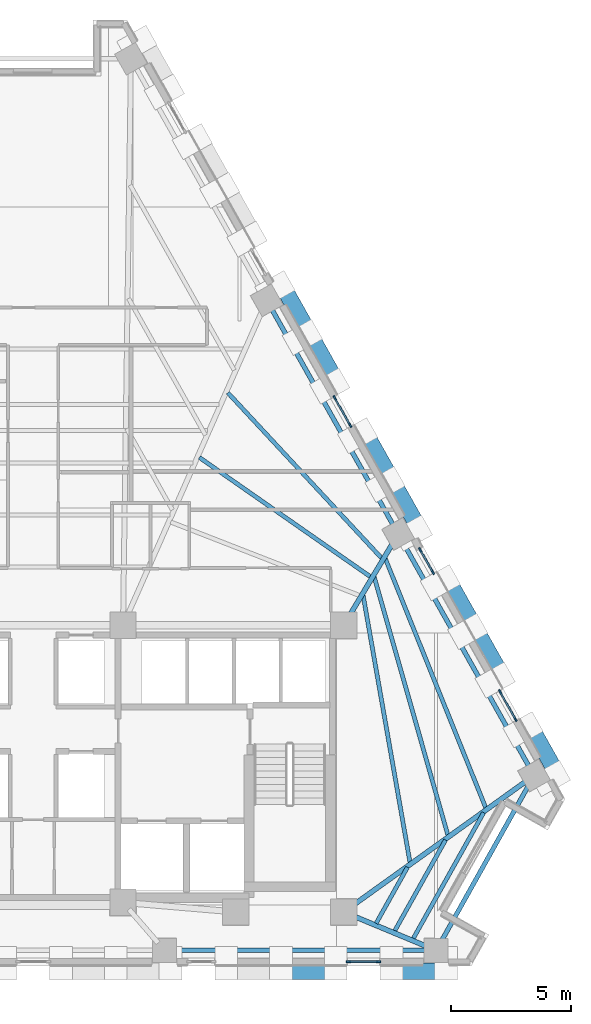
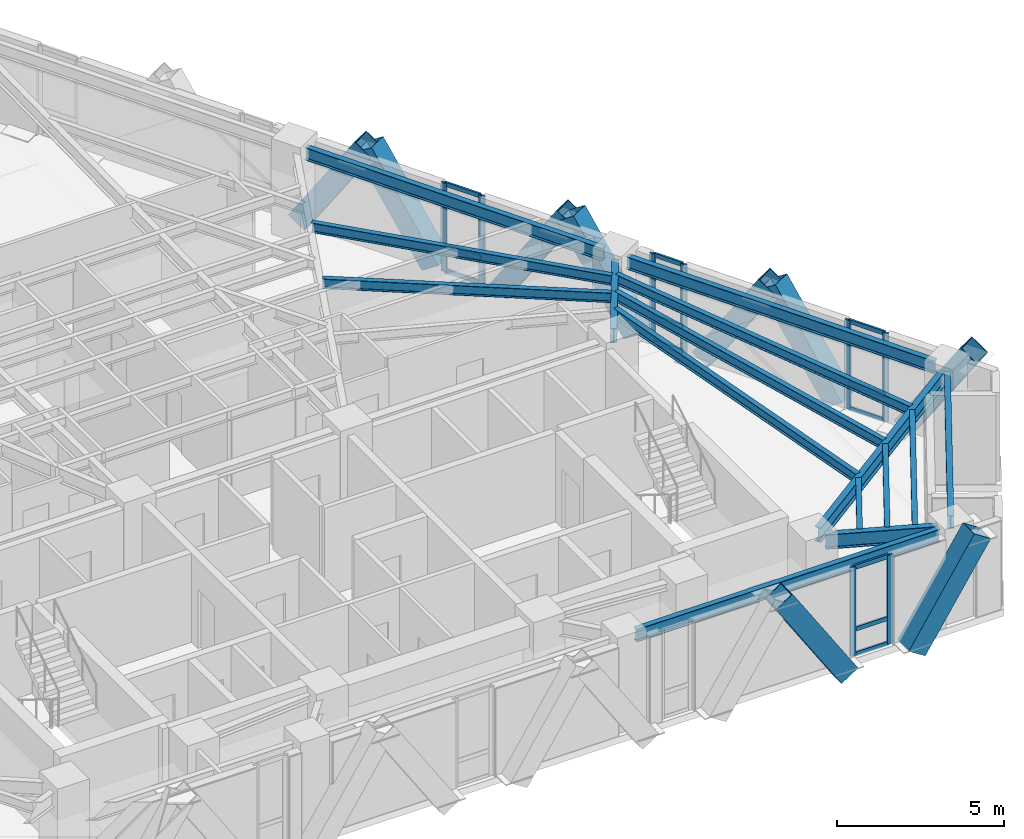
# One storey, part 4 of 14: 29 members, 15 beams, 4 elements without a shape of their own.
"""IFC4 building model written with IfcOpenShell, lengths in metres."""

import ifcopenshell
import ifcopenshell.guid

model = None  # the IFC model being written
_history = None  # IfcOwnerHistory: only IFC2X3 demands one
_inside = {}  # id of a spatial element -> (the spatial element, [elements in it])
_under = {}  # id of a project, library or spatial element -> (it, [spatial elements below it])
_declared = {}  # id of a project -> (the project, [libraries it declares])
_typed = {}  # id of a type object -> (the type object, [elements of that type])
_made_of = {}  # id of a material, layer set ... -> (it, [elements and type objects made of it])


def new_model(schema):
    """Start an empty IFC model of exactly this schema.

    Asked for "IFC4X3", IfcOpenShell would pick the latest addendum, in which some entities
    have other attributes; the version numbers below select the first issue.
    IFC2X3 requires an IfcOwnerHistory on every rooted entity: one is made here for all.
    """
    global model, _history
    if schema == "IFC4X3":
        model = ifcopenshell.file(schema_version=(4, 3, 0, 0))
    else:
        model = ifcopenshell.file(schema=schema)
    _inside.clear()
    _under.clear()
    _declared.clear()
    _typed.clear()
    _made_of.clear()
    _history = None
    if model.schema == "IFC2X3":
        org = make("IfcOrganization", Name="unknown")
        user = make(
            "IfcPersonAndOrganization",
            ThePerson=make("IfcPerson", FamilyName="unknown"),
            TheOrganization=org,
        )
        app = make(
            "IfcApplication",
            ApplicationDeveloper=org,
            Version="unknown",
            ApplicationFullName="unknown",
            ApplicationIdentifier="unknown",
        )
        _history = make(
            "IfcOwnerHistory",
            OwningUser=user,
            OwningApplication=app,
            ChangeAction="ADDED",
            CreationDate=0,
        )
    return model


def make(cls, **values):
    """One entity of the class cls with the attributes given. An attribute that is None is left unset."""
    return model.create_entity(
        cls, **{name: value for name, value in values.items() if value is not None}
    )


def rooted(cls, **values):
    """An entity with a GlobalId (a new one), such as an element, a storey or a relation."""
    return make(cls, GlobalId=ifcopenshell.guid.new(), OwnerHistory=_history, **values)


def si_unit(unit_type, name, prefix=None):
    """IfcSIUnit, for example si_unit("LENGTHUNIT", "METRE", prefix="MILLI")."""
    return make("IfcSIUnit", UnitType=unit_type, Prefix=prefix, Name=name)


def assignment(units):
    """IfcUnitAssignment: the units of a project."""
    return None if units is None else make("IfcUnitAssignment", Units=units)


def point(xyz):
    """IfcCartesianPoint."""
    return None if xyz is None else make("IfcCartesianPoint", Coordinates=xyz)


def direction(xyz):
    """IfcDirection."""
    return None if xyz is None else make("IfcDirection", DirectionRatios=xyz)


def frame(location, z_axis=None, x_axis=None):
    """IfcAxis2Placement3D, a coordinate frame: its origin and axes. An axis left out is left unset."""
    return make(
        "IfcAxis2Placement3D",
        Location=point(location),
        Axis=direction(z_axis),
        RefDirection=direction(x_axis),
    )


def frame_2d(location, x_axis=None):
    """IfcAxis2Placement2D, a coordinate frame in the plane: its origin and x axis."""
    return make(
        "IfcAxis2Placement2D", Location=point(location), RefDirection=direction(x_axis)
    )


def origin():
    """The frame at (0, 0, 0) with its axes left unset."""
    return frame((0.0, 0.0, 0.0))


def origin_2d():
    """The frame at (0, 0) in the plane with its x axis left unset."""
    return frame_2d((0.0, 0.0))


def place(relative_to, where):
    """IfcLocalPlacement: puts the frame where relative to a parent placement (None: the world)."""
    return make(
        "IfcLocalPlacement", PlacementRelTo=relative_to, RelativePlacement=where
    )


def context(
    kind, dimensions, precision=None, world=None, true_north=None, identifier=None
):
    """IfcGeometricRepresentationContext, for example the 3D "Model" context."""
    return make(
        "IfcGeometricRepresentationContext",
        ContextIdentifier=identifier,
        ContextType=kind,
        CoordinateSpaceDimension=dimensions,
        Precision=precision,
        WorldCoordinateSystem=world,
        TrueNorth=true_north,
    )


def subcontext(parent, identifier, kind, view, scale=None):
    """IfcGeometricRepresentationSubContext, for example "Body" below "Model"."""
    return make(
        "IfcGeometricRepresentationSubContext",
        ContextIdentifier=identifier,
        ContextType=kind,
        ParentContext=parent,
        TargetScale=scale,
        TargetView=view,
    )


def project(units=None, contexts=None):
    """IfcProject with its units and contexts."""
    return rooted(
        "IfcProject",
        Name="project",
        RepresentationContexts=contexts,
        UnitsInContext=assignment(units),
    )


def spatial(cls, under=None, at=None, **own):
    """A site, building, storey or space (cls), placed at a placement, below another one or the project."""
    s = rooted(cls, ObjectPlacement=at, **own)
    if under is not None:
        _under.setdefault(under.id(), (under, []))[1].append(s)
    return s


def profile(cls, at=None, kind="AREA", **sizes):
    """A parametric profile (cls). Its sizes go by their IFC names, for example OverallWidth=200.0."""
    return make(cls, ProfileType=kind, Position=at, **sizes)


def rectangle(**sizes):
    """IfcRectangleProfileDef."""
    return profile("IfcRectangleProfileDef", **sizes)


def hollow_rectangle(**sizes):
    """IfcRectangleHollowProfileDef."""
    return profile("IfcRectangleHollowProfileDef", **sizes)


def i_section(**sizes):
    """IfcIShapeProfileDef."""
    return profile("IfcIShapeProfileDef", **sizes)


def extrude(swept, where, along, depth):
    """IfcExtrudedAreaSolid: the profile swept, set in the frame where, extruded along a direction by depth."""
    return make(
        "IfcExtrudedAreaSolid",
        SweptArea=swept,
        Position=where,
        ExtrudedDirection=direction(along),
        Depth=depth,
    )


def shape(context_of_items, identifier, shape_type, items):
    """IfcShapeRepresentation: the items that make up one representation, for example the "Body"."""
    return make(
        "IfcShapeRepresentation",
        ContextOfItems=context_of_items,
        RepresentationIdentifier=identifier,
        RepresentationType=shape_type,
        Items=items,
    )


def material(Name=None, Category=None):
    """IfcMaterial."""
    return make("IfcMaterial", Name=Name, Category=Category)


def material_profile(
    of_material, cross_section, Name=None, Category=None, Priority=None
):
    """IfcMaterialProfile: a cross section and its material."""
    return make(
        "IfcMaterialProfile",
        Name=Name,
        Material=of_material,
        Profile=cross_section,
        Priority=Priority,
        Category=Category,
    )


def profile_set(profiles, Name=None, composite=None):
    """IfcMaterialProfileSet."""
    return make(
        "IfcMaterialProfileSet",
        Name=Name,
        MaterialProfiles=profiles,
        CompositeProfile=composite,
    )


def made_of(thing, what):
    """Note that an element or type object is made of a material, layer set ...; save() writes the relation."""
    if what is not None:
        _made_of.setdefault(what.id(), (what, []))[1].append(thing)
    return thing


def type_object(cls, material=None, **own):
    """A type object (cls), such as IfcWallType, which elements share."""
    return made_of(rooted(cls, **own), material)


def element(
    cls,
    number,
    at=None,
    inside=None,
    cuts=None,
    type_object=None,
    material=None,
    context=None,
    identifier="Body",
    shape_type=None,
    held_by="IfcProductDefinitionShape",
    body=None,
    shapes=None,
    **own,
):
    """One element of the class cls, such as IfcWall. Its Tag is "e" and its number.

    at: its placement. inside: the storey or other place that contains it. cuts: it is an
    opening in that element (IfcRelVoidsElement). A single representation is given by context,
    identifier, shape_type and body (its items); several are given by shapes. held_by: the class
    of the entity that holds the representations. save() writes the other relations.
    """
    e = rooted(cls, Tag="e%d" % number, ObjectPlacement=at, **own)
    if body is not None:
        shapes = [shape(context, identifier, shape_type, body)]
    if shapes is not None:
        e.Representation = make(held_by, Representations=shapes)
    if inside is not None:
        _inside.setdefault(inside.id(), (inside, []))[1].append(e)
    if cuts is not None:
        rooted(
            "IfcRelVoidsElement", RelatingBuildingElement=cuts, RelatedOpeningElement=e
        )
    if type_object is not None:
        _typed.setdefault(type_object.id(), (type_object, []))[1].append(e)
    return made_of(e, material)


def aggregate(whole, parts):
    """IfcRelAggregates: a whole, such as a stair, and the parts it consists of."""
    return rooted("IfcRelAggregates", RelatingObject=whole, RelatedObjects=parts)


def save(model, path):
    """Write the relations noted so far, then the file.

    IfcRelAggregates (storeys below a building ...), IfcRelContainedInSpatialStructure (elements
    in a storey), IfcRelDefinesByType, IfcRelAssociatesMaterial and IfcRelDeclares: one each for
    every whole, place, type object, material and project.
    """
    for whole, parts in _under.values():
        aggregate(whole, parts)
    for where, things in _inside.values():
        rooted(
            "IfcRelContainedInSpatialStructure",
            RelatedElements=things,
            RelatingStructure=where,
        )
    for kind, things in _typed.values():
        rooted("IfcRelDefinesByType", RelatedObjects=things, RelatingType=kind)
    for what, things in _made_of.values():
        rooted("IfcRelAssociatesMaterial", RelatedObjects=things, RelatingMaterial=what)
    for by, libraries in _declared.values():
        rooted("IfcRelDeclares", RelatingContext=by, RelatedDefinitions=libraries)
    model.write(path)


model = new_model("IFC4")

# Units and contexts
model_context = context("Model", 3, precision=1e-05, world=origin(), true_north=direction((0.0, 1.0)))
body_context = subcontext(model_context, "Body", "Model", "MODEL_VIEW")
ifc_project = project(units=[si_unit("LENGTHUNIT", "METRE"), si_unit("AREAUNIT", "SQUARE_METRE"), si_unit("VOLUMEUNIT", "CUBIC_METRE"), si_unit("PLANEANGLEUNIT", "RADIAN"), si_unit("MASSUNIT", "GRAM", prefix="KILO")], contexts=[model_context])

# Site, building, storey
site_placement = place(None, origin())
site = spatial("IfcSite", under=ifc_project, at=site_placement, CompositionType="ELEMENT")
building_placement = place(site_placement, origin())
building = spatial("IfcBuilding", under=site, at=building_placement, Name="Quenlor Broadcast Tower", CompositionType="ELEMENT")
storey_placement = place(building_placement, frame((0.0, 0.0, 168.5)))
storey = spatial("IfcBuildingStorey", under=building, at=storey_placement, Name="L46", CompositionType="ELEMENT", Elevation=168.5)

# Curtain wall, members
ifc_material_1 = material(Name="Architectural Terracotta and Low-E Glazing", Category="masonry")
curtain_wall_type = type_object("IfcCurtainWallType", Name="Unitised Terracotta Curtain Wall System Z3", PredefinedType="NOTDEFINED", material=ifc_material_1)
curtain_wall_1_placement = place(storey_placement, origin())
curtain_wall_1 = element("IfcCurtainWall", 1, at=curtain_wall_1_placement, inside=storey, type_object=curtain_wall_type, Name="L46 Curtain Wall CW3 (L46-SA-G1)", PredefinedType="NOTDEFINED")
ifc_material_2 = material(Name="Aluminium 6063-T6", Category="aluminium")
ifc_material_profile_1 = material_profile(ifc_material_2, rectangle(XDim=0.070068359375, YDim=0.18994140625, at=origin_2d()))
ifc_profile_set_1 = profile_set([ifc_material_profile_1], Name="Aluminium 6063-T6 MULL70x190")
member_type_1 = type_object("IfcMemberType", Name="CW3 Aluminium Mullion MULL_CW3", PredefinedType="MULLION", material=ifc_profile_set_1)
member_1_placement = place(storey_placement, frame((14.409912109375, -18.824951171875, 0.0), z_axis=(0.0, 0.0, 1.0), x_axis=(0.0, -1.0, 0.0)))
member_1 = element("IfcMember", 2, at=member_1_placement, type_object=member_type_1, Name="CW3 mullion 1", PredefinedType="MULLION", context=body_context, shape_type="SweptSolid", body=[
    extrude(rectangle(XDim=0.070068359375, YDim=0.18994140625, at=origin_2d()), origin(), (0.0, 0.0, 1.0), 3.25),
])
member_2_placement = place(storey_placement, frame((13.14208984375, -18.824951171875, 0.0), z_axis=(0.0, 0.0, 1.0), x_axis=(0.0, -1.0, 0.0)))
member_2 = element("IfcMember", 3, at=member_2_placement, type_object=member_type_1, Name="CW3 mullion 2", PredefinedType="MULLION", context=body_context, shape_type="SweptSolid", body=[
    extrude(rectangle(XDim=0.070068359375, YDim=0.18994140625, at=origin_2d()), origin(), (0.0, 0.0, 1.0), 3.25),
])

curtain_wall_2_placement = place(storey_placement, origin())
curtain_wall_2 = element("IfcCurtainWall", 4, at=curtain_wall_2_placement, inside=storey, type_object=curtain_wall_type, Name="L46 Curtain Wall CW3 (L46-NEC-G1)", PredefinedType="NOTDEFINED")
member_3_placement = place(storey_placement, frame((16.137939453125, -1.646728515625, 0.0), z_axis=(0.0, 0.0, 1.0), x_axis=(0.871580169247, 0.490253004657, 0.0)))
member_3 = element("IfcMember", 5, at=member_3_placement, type_object=member_type_1, Name="CW3 mullion 1", PredefinedType="MULLION", context=body_context, shape_type="SweptSolid", body=[
    extrude(rectangle(XDim=0.070068359375, YDim=0.18994140625, at=origin_2d()), origin(), (0.0, 0.0, 1.0), 3.25),
])
member_4_placement = place(storey_placement, frame((16.6689453125, -2.5908203125, 0.0), z_axis=(0.0, 0.0, 1.0), x_axis=(0.871580169247, 0.490253004657, 0.0)))
member_4 = element("IfcMember", 6, at=member_4_placement, type_object=member_type_1, Name="CW3 mullion 2", PredefinedType="MULLION", context=body_context, shape_type="SweptSolid", body=[
    extrude(rectangle(XDim=0.070068359375, YDim=0.18994140625, at=origin_2d()), origin(), (0.0, 0.0, 1.0), 3.25),
])

curtain_wall_3_placement = place(storey_placement, origin())
curtain_wall_3 = element("IfcCurtainWall", 7, at=curtain_wall_3_placement, inside=storey, type_object=curtain_wall_type, Name="L46 Curtain Wall CW3 (L46-NEC-G2)", PredefinedType="NOTDEFINED")
member_5_placement = place(storey_placement, frame((19.47021484375, -7.570556640625, 0.0), z_axis=(0.0, 0.0, 1.0), x_axis=(0.871575537123, 0.490261239636, 0.0)))
member_5 = element("IfcMember", 8, at=member_5_placement, type_object=member_type_1, Name="CW3 mullion 1", PredefinedType="MULLION", context=body_context, shape_type="SweptSolid", body=[
    extrude(rectangle(XDim=0.070068359375, YDim=0.18994140625, at=origin_2d()), origin(), (0.0, 0.0, 1.0), 3.25),
])
member_6_placement = place(storey_placement, frame((20.1171875, -8.720703125, 0.0), z_axis=(0.0, 0.0, 1.0), x_axis=(0.871575537123, 0.490261239636, 0.0)))
member_6 = element("IfcMember", 9, at=member_6_placement, type_object=member_type_1, Name="CW3 mullion 2", PredefinedType="MULLION", context=body_context, shape_type="SweptSolid", body=[
    extrude(rectangle(XDim=0.070068359375, YDim=0.18994140625, at=origin_2d()), origin(), (0.0, 0.0, 1.0), 3.25),
])

curtain_wall_4_placement = place(storey_placement, origin())
curtain_wall_4 = element("IfcCurtainWall", 10, at=curtain_wall_4_placement, inside=storey, type_object=curtain_wall_type, Name="L46 Curtain Wall CW3 (L46-NE-G1)", PredefinedType="NOTDEFINED")
member_7_placement = place(storey_placement, frame((12.573974609375, 4.689208984375, 0.0), z_axis=(0.0, 0.0, 1.0), x_axis=(0.871562085714, 0.490285152484, 0.0)))
member_7 = element("IfcMember", 11, at=member_7_placement, type_object=member_type_1, Name="CW3 mullion 1", PredefinedType="MULLION", context=body_context, shape_type="SweptSolid", body=[
    extrude(rectangle(XDim=0.070068359375, YDim=0.18994140625, at=origin_2d()), origin(), (0.0, 0.0, 1.0), 3.25),
])
member_8_placement = place(storey_placement, frame((13.220947265625, 3.5390625, 0.0), z_axis=(0.0, 0.0, 1.0), x_axis=(0.871562085714, 0.490285152484, 0.0)))
member_8 = element("IfcMember", 12, at=member_8_placement, type_object=member_type_1, Name="CW3 mullion 2", PredefinedType="MULLION", context=body_context, shape_type="SweptSolid", body=[
    extrude(rectangle(XDim=0.070068359375, YDim=0.18994140625, at=origin_2d()), origin(), (0.0, 0.0, 1.0), 3.25),
])

# Member
ifc_material_3 = material(Name="Aluminium 6063-T6", Category="aluminium")
ifc_material_profile_2 = material_profile(ifc_material_3, rectangle(XDim=0.070068359375, YDim=0.155029296875, at=origin_2d()))
ifc_profile_set_2 = profile_set([ifc_material_profile_2], Name="Aluminium 6063-T6 TRAN70x155")
member_type_2 = type_object("IfcMemberType", Name="CW3 Aluminium Transom TRAN_CW3", PredefinedType="USERDEFINED", material=ifc_profile_set_2)
member_9_placement = place(storey_placement, frame((14.375, -18.824951171875, 0.034912109375), z_axis=(-1.0, 0.0, 0.0), x_axis=(0.0, -1.0, 0.0)))
member_9 = element("IfcMember", 13, at=member_9_placement, type_object=member_type_2, Name="CW3 transom 1.1", ObjectType="TRANSOM", PredefinedType="USERDEFINED", context=body_context, shape_type="SweptSolid", body=[
    extrude(rectangle(XDim=0.070068359375, YDim=0.155029296875, at=origin_2d()), origin(), (0.0, 0.0, 1.0), 1.197998046875),
])

member_10_placement = place(storey_placement, frame((14.375, -18.824951171875, 0.949951171875), z_axis=(-1.0, 0.0, 0.0), x_axis=(0.0, -1.0, 0.0)))
member_10 = element("IfcMember", 14, at=member_10_placement, type_object=member_type_2, Name="CW3 transom 1.2", ObjectType="TRANSOM", PredefinedType="USERDEFINED", context=body_context, shape_type="SweptSolid", body=[
    extrude(rectangle(XDim=0.070068359375, YDim=0.155029296875, at=origin_2d()), origin(), (0.0, 0.0, 1.0), 1.197998046875),
])

member_11_placement = place(storey_placement, frame((14.375, -18.824951171875, 3.215087890625), z_axis=(-1.0, 0.0, 0.0), x_axis=(0.0, -1.0, 0.0)))
member_11 = element("IfcMember", 15, at=member_11_placement, type_object=member_type_2, Name="CW3 transom 1.3", ObjectType="TRANSOM", PredefinedType="USERDEFINED", context=body_context, shape_type="SweptSolid", body=[
    extrude(rectangle(XDim=0.070068359375, YDim=0.155029296875, at=origin_2d()), origin(), (0.0, 0.0, 1.0), 1.197998046875),
])

aggregate(curtain_wall_1, [member_1, member_2, member_9, member_10, member_11])

member_12_placement = place(storey_placement, frame((16.1552734375, -1.67724609375, 0.034912109375), z_axis=(0.49015826449, -0.871633452635, 0.0), x_axis=(0.871633452635, 0.49015826449, 0.0)))
member_12 = element("IfcMember", 16, at=member_12_placement, type_object=member_type_2, Name="CW3 transom 1.1", ObjectType="TRANSOM", PredefinedType="USERDEFINED", context=body_context, shape_type="SweptSolid", body=[
    extrude(rectangle(XDim=0.070068359375, YDim=0.155029296875, at=origin_2d()), origin(), (0.0, 0.0, 1.0), 1.01318359375),
])

member_13_placement = place(storey_placement, frame((16.1552734375, -1.67724609375, 0.949951171875), z_axis=(0.49015826449, -0.871633452635, 0.0), x_axis=(0.871633452635, 0.49015826449, 0.0)))
member_13 = element("IfcMember", 17, at=member_13_placement, type_object=member_type_2, Name="CW3 transom 1.2", ObjectType="TRANSOM", PredefinedType="USERDEFINED", context=body_context, shape_type="SweptSolid", body=[
    extrude(rectangle(XDim=0.070068359375, YDim=0.155029296875, at=origin_2d()), origin(), (0.0, 0.0, 1.0), 1.01318359375),
])

member_14_placement = place(storey_placement, frame((16.1552734375, -1.67724609375, 3.215087890625), z_axis=(0.49015826449, -0.871633452635, 0.0), x_axis=(0.871633452635, 0.49015826449, 0.0)))
member_14 = element("IfcMember", 18, at=member_14_placement, type_object=member_type_2, Name="CW3 transom 1.3", ObjectType="TRANSOM", PredefinedType="USERDEFINED", context=body_context, shape_type="SweptSolid", body=[
    extrude(rectangle(XDim=0.070068359375, YDim=0.155029296875, at=origin_2d()), origin(), (0.0, 0.0, 1.0), 1.01318359375),
])

aggregate(curtain_wall_2, [member_3, member_4, member_12, member_13, member_14])

member_15_placement = place(storey_placement, frame((19.4873046875, -7.60107421875, 0.034912109375), z_axis=(0.490363266059, -0.871518139398, 0.0), x_axis=(0.871518139398, 0.490363266059, 0.0)))
member_15 = element("IfcMember", 19, at=member_15_placement, type_object=member_type_2, Name="CW3 transom 1.1", ObjectType="TRANSOM", PredefinedType="USERDEFINED", context=body_context, shape_type="SweptSolid", body=[
    extrude(rectangle(XDim=0.070068359375, YDim=0.155029296875, at=origin_2d()), origin(), (0.0, 0.0, 1.0), 1.249755859375),
])

member_16_placement = place(storey_placement, frame((19.4873046875, -7.60107421875, 0.949951171875), z_axis=(0.490363266059, -0.871518139398, 0.0), x_axis=(0.871518139398, 0.490363266059, 0.0)))
member_16 = element("IfcMember", 20, at=member_16_placement, type_object=member_type_2, Name="CW3 transom 1.2", ObjectType="TRANSOM", PredefinedType="USERDEFINED", context=body_context, shape_type="SweptSolid", body=[
    extrude(rectangle(XDim=0.070068359375, YDim=0.155029296875, at=origin_2d()), origin(), (0.0, 0.0, 1.0), 1.249755859375),
])

member_17_placement = place(storey_placement, frame((19.4873046875, -7.60107421875, 3.215087890625), z_axis=(0.490363266059, -0.871518139398, 0.0), x_axis=(0.871518139398, 0.490363266059, 0.0)))
member_17 = element("IfcMember", 21, at=member_17_placement, type_object=member_type_2, Name="CW3 transom 1.3", ObjectType="TRANSOM", PredefinedType="USERDEFINED", context=body_context, shape_type="SweptSolid", body=[
    extrude(rectangle(XDim=0.070068359375, YDim=0.155029296875, at=origin_2d()), origin(), (0.0, 0.0, 1.0), 1.249755859375),
])

aggregate(curtain_wall_3, [member_5, member_6, member_15, member_16, member_17])

member_18_placement = place(storey_placement, frame((12.591064453125, 4.65869140625, 0.034912109375), z_axis=(0.490363266059, -0.871518139398, 0.0), x_axis=(0.871518139398, 0.490363266059, 0.0)))
member_18 = element("IfcMember", 22, at=member_18_placement, type_object=member_type_2, Name="CW3 transom 1.1", ObjectType="TRANSOM", PredefinedType="USERDEFINED", context=body_context, shape_type="SweptSolid", body=[
    extrude(rectangle(XDim=0.070068359375, YDim=0.155029296875, at=origin_2d()), origin(), (0.0, 0.0, 1.0), 1.249755859375),
])

member_19_placement = place(storey_placement, frame((12.591064453125, 4.65869140625, 0.949951171875), z_axis=(0.490363266059, -0.871518139398, 0.0), x_axis=(0.871518139398, 0.490363266059, 0.0)))
member_19 = element("IfcMember", 23, at=member_19_placement, type_object=member_type_2, Name="CW3 transom 1.2", ObjectType="TRANSOM", PredefinedType="USERDEFINED", context=body_context, shape_type="SweptSolid", body=[
    extrude(rectangle(XDim=0.070068359375, YDim=0.155029296875, at=origin_2d()), origin(), (0.0, 0.0, 1.0), 1.249755859375),
])

member_20_placement = place(storey_placement, frame((12.591064453125, 4.65869140625, 3.215087890625), z_axis=(0.490363266059, -0.871518139398, 0.0), x_axis=(0.871518139398, 0.490363266059, 0.0)))
member_20 = element("IfcMember", 24, at=member_20_placement, type_object=member_type_2, Name="CW3 transom 1.3", ObjectType="TRANSOM", PredefinedType="USERDEFINED", context=body_context, shape_type="SweptSolid", body=[
    extrude(rectangle(XDim=0.070068359375, YDim=0.155029296875, at=origin_2d()), origin(), (0.0, 0.0, 1.0), 1.249755859375),
])

aggregate(curtain_wall_4, [member_7, member_8, member_18, member_19, member_20])

# Members
ifc_material_4 = material(Name="Steel S355", Category="steel")
ifc_material_profile_3 = material_profile(ifc_material_4, hollow_rectangle(XDim=0.679931640625, YDim=0.679931640625, WallThickness=0.02490234375, at=origin_2d()))
ifc_profile_set_3 = profile_set([ifc_material_profile_3], Name="Steel S355 RHS680x680x25")
member_type_3 = type_object("IfcMemberType", Name="Perimeter Diagonal Lattice Brace Z3-Z4 Steel S355 RHS680x25", PredefinedType="BRACE", material=ifc_profile_set_3)
for number, where, z_axis, x_axis, name in (
    (25, (12.6142578125, -19.219970703125, -0.1201171875), (-0.543901560697, 0.0, 0.839149028643), (0.0, -1.0, 0.0), "L46 Perimeter Diamond Lattice S-C1S"),
    (26, (14.937744140625, -19.219970703125, -0.1201171875), (0.543901560697, 0.0, 0.839149028643), (0.0, 1.0, 0.0), "L46 Perimeter Diamond Lattice S-C1B"),
):
    element("IfcMember", number, at=place(storey_placement, frame(where, z_axis=z_axis, x_axis=x_axis)), inside=storey, type_object=member_type_3, Name=name, PredefinedType="BRACE", context=body_context, shape_type="SweptSolid", body=[
        extrude(hollow_rectangle(XDim=0.679931640625, YDim=0.679931640625, WallThickness=0.02490234375, at=origin_2d()), origin(), (0.0, 0.0, 1.0), 4.1708984375),
    ])
for number, where, z_axis, x_axis, name in (
    (27, (10.375244140625, 9.40380859375, -0.1201171875), (0.2705491942, -0.481008661973, 0.833926735766), (0.871589611547, 0.490236217596, 0.0), "L46 Perimeter Diamond Lattice NE-C2S"),
    (28, (13.823486328125, 3.27392578125, -0.1201171875), (0.2705491942, -0.481008661973, 0.833926735766), (0.871589611547, 0.490236217596, 0.0), "L46 Perimeter Diamond Lattice NE-C3S"),
    (29, (12.66015625, 5.341796875, -0.1201171875), (-0.2705491942, 0.481008661973, 0.833926735766), (-0.871589611547, -0.490236217596, 0.0), "L46 Perimeter Diamond Lattice NE-C3B"),
    (30, (17.271484375, -2.85595703125, -0.1201171875), (0.2705491942, -0.481008661973, 0.833926735766), (0.871589611547, 0.490236217596, 0.0), "L46 Perimeter Diamond Lattice NE-C4S"),
    (31, (16.1083984375, -0.7880859375, -0.1201171875), (-0.27060310517, 0.481001091283, 0.833913610428), (-0.871544572467, -0.490316283845, 0.0), "L46 Perimeter Diamond Lattice NE-C4B"),
    (32, (20.719482421875, -8.98583984375, -0.1201171875), (0.2705491942, -0.481008661973, 0.833926735766), (0.871589611547, 0.490236217596, 0.0), "L46 Perimeter Diamond Lattice NE-C5S"),
    (33, (19.556396484375, -6.918212890625, -0.1201171875), (-0.2705491942, 0.481008661973, 0.833926735766), (-0.871589611547, -0.490236217596, 0.0), "L46 Perimeter Diamond Lattice NE-C5B"),
):
    element("IfcMember", number, at=place(storey_placement, frame(where, z_axis=z_axis, x_axis=x_axis)), inside=storey, type_object=member_type_3, Name=name, PredefinedType="BRACE", context=body_context, shape_type="SweptSolid", body=[
        extrude(hollow_rectangle(XDim=0.679931640625, YDim=0.679931640625, WallThickness=0.02490234375, at=origin_2d()), origin(), (0.0, 0.0, 1.0), 4.197021484375),
    ])

# Beams
ifc_material_5 = material(Name="Steel S355", Category="steel")
ifc_material_profile_4 = material_profile(ifc_material_5, i_section(OverallWidth=0.19091796875, OverallDepth=0.46044921875, WebThickness=0.010009765625, FlangeThickness=0.01611328125, FilletRadius=0.011474609375, at=origin_2d()))
ifc_profile_set_4 = profile_set([ifc_material_profile_4], Name="Steel S355 460UB82.1")
beam_type_1 = type_object("IfcBeamType", Name="Perimeter Spandrel Beam Z3 Steel S355 460UB82.1", PredefinedType="SPANDREL", material=ifc_profile_set_4)
beam_1_placement = place(storey_placement, frame((5.89111328125, -18.35009765625, 3.019775390625), z_axis=(1.0, 0.0, 0.0), x_axis=(0.0, 1.0, 0.0)))
element("IfcBeam", 34, at=beam_1_placement, inside=storey, type_object=beam_type_1, Name="L46 Spandrel Beam S3-S4", PredefinedType="SPANDREL", context=body_context, shape_type="SweptSolid", body=[
    extrude(i_section(OverallWidth=0.19091796875, OverallDepth=0.46044921875, WebThickness=0.010009765625, FlangeThickness=0.01611328125, FilletRadius=0.011474609375, at=origin_2d()), origin(), (0.0, 0.0, 1.0), 10.50732421875),
])
beam_2_placement = place(storey_placement, frame((17.008544921875, -17.9921875, 3.019775390625), z_axis=(0.488298439934, 0.872676706208, 0.0), x_axis=(-0.872676706208, 0.488298439934, 0.0)))
element("IfcBeam", 35, at=beam_2_placement, inside=storey, type_object=beam_type_1, Name="L46 Spandrel Beam S4-NE1", PredefinedType="SPANDREL", context=body_context, shape_type="SweptSolid", body=[
    extrude(i_section(OverallWidth=0.19091796875, OverallDepth=0.46044921875, WebThickness=0.010009765625, FlangeThickness=0.01611328125, FilletRadius=0.011474609375, at=origin_2d()), origin(), (0.0, 0.0, 1.0), 7.5341796875),
])
beam_3_placement = place(storey_placement, frame((20.686767578125, -10.7021484375, 3.019775390625), z_axis=(-0.490257999604, 0.871577359633, 0.0), x_axis=(-0.871577359633, -0.490257999604, 0.0)))
element("IfcBeam", 36, at=beam_3_placement, inside=storey, type_object=beam_type_1, Name="L46 Spandrel Beam NE1-NE2", PredefinedType="SPANDREL", context=body_context, shape_type="SweptSolid", body=[
    extrude(i_section(OverallWidth=0.19091796875, OverallDepth=0.46044921875, WebThickness=0.010009765625, FlangeThickness=0.01611328125, FilletRadius=0.011474609375, at=origin_2d()), origin(), (0.0, 0.0, 1.0), 10.732666015625),
])
beam_4_placement = place(storey_placement, frame((15.02294921875, -0.63330078125, 3.019775390625), z_axis=(-0.490252288562, 0.871580572041, 0.0), x_axis=(-0.871580572041, -0.490252288562, 0.0)))
element("IfcBeam", 37, at=beam_4_placement, inside=storey, type_object=beam_type_1, Name="L46 Spandrel Beam NE2-NE3", PredefinedType="SPANDREL", context=body_context, shape_type="SweptSolid", body=[
    extrude(i_section(OverallWidth=0.19091796875, OverallDepth=0.46044921875, WebThickness=0.010009765625, FlangeThickness=0.01611328125, FilletRadius=0.011474609375, at=origin_2d()), origin(), (0.0, 0.0, 1.0), 10.359619140625),
])
ifc_material_6 = material(Name="Steel S355", Category="steel")
ifc_material_profile_5 = material_profile(ifc_material_6, i_section(OverallWidth=0.172119140625, OverallDepth=0.358642578125, WebThickness=0.008056640625, FlangeThickness=0.012939453125, FilletRadius=0.011474609375, at=origin_2d()))
ifc_profile_set_5 = profile_set([ifc_material_profile_5], Name="Steel S355 360UB56.7")
beam_type_2 = type_object("IfcBeamType", Name="Tower Composite Joist Z2-Z3 Steel S355 360UB56.7", PredefinedType="JOIST", material=ifc_profile_set_5)
beam_5_placement = place(storey_placement, frame((14.06689453125, -2.7734375, 3.07080078125), z_axis=(-0.82026568394, 0.57198269882, 0.0), x_axis=(-0.57198269882, -0.82026568394, 0.0)))
element("IfcBeam", 38, at=beam_5_placement, inside=storey, type_object=beam_type_2, Name="L46 Secondary Composite Joist 11", PredefinedType="JOIST", context=body_context, shape_type="SweptSolid", body=[
    extrude(i_section(OverallWidth=0.172119140625, OverallDepth=0.358642578125, WebThickness=0.008056640625, FlangeThickness=0.012939453125, FilletRadius=0.011474609375, at=origin_2d()), origin(), (0.0, 0.0, 1.0), 8.698486328125),
])
beam_6_placement = place(storey_placement, frame((14.53271484375, -1.998779296875, 3.07080078125), z_axis=(-0.680873505991, 0.732401030065, 0.0), x_axis=(-0.732401030065, -0.680873505991, 0.0)))
element("IfcBeam", 39, at=beam_6_placement, inside=storey, type_object=beam_type_2, Name="L46 Secondary Composite Joist 12", PredefinedType="JOIST", context=body_context, shape_type="SweptSolid", body=[
    extrude(i_section(OverallWidth=0.172119140625, OverallDepth=0.358642578125, WebThickness=0.008056640625, FlangeThickness=0.012939453125, FilletRadius=0.011474609375, at=origin_2d()), origin(), (0.0, 0.0, 1.0), 9.419189453125),
])
beam_7_placement = place(storey_placement, frame((15.71435546875, -14.679443359375, 3.07080078125), z_axis=(-0.172906811417, 0.984938188195, 0.0), x_axis=(-0.984938188195, -0.172906811417, 0.0)))
element("IfcBeam", 40, at=beam_7_placement, inside=storey, type_object=beam_type_2, Name="L46 Secondary Composite Joist 16", PredefinedType="JOIST", context=body_context, shape_type="SweptSolid", body=[
    extrude(i_section(OverallWidth=0.172119140625, OverallDepth=0.358642578125, WebThickness=0.008056640625, FlangeThickness=0.012939453125, FilletRadius=0.011474609375, at=origin_2d()), origin(), (0.0, 0.0, 1.0), 11.30419921875),
])
beam_8_placement = place(storey_placement, frame((17.293701171875, -13.543212890625, 3.07080078125), z_axis=(-0.274418577045, 0.961610339261, 0.0), x_axis=(-0.961610339261, -0.274418577045, 0.0)))
element("IfcBeam", 41, at=beam_8_placement, inside=storey, type_object=beam_type_2, Name="L46 Secondary Composite Joist 17", PredefinedType="JOIST", context=body_context, shape_type="SweptSolid", body=[
    extrude(i_section(OverallWidth=0.172119140625, OverallDepth=0.358642578125, WebThickness=0.008056640625, FlangeThickness=0.012939453125, FilletRadius=0.011474609375, at=origin_2d()), origin(), (0.0, 0.0, 1.0), 11.191162109375),
])
beam_9_placement = place(storey_placement, frame((18.873291015625, -12.407958984375, 3.07080078125), z_axis=(-0.373824118901, 0.927499610851, 0.0), x_axis=(-0.927499610851, -0.373824118901, 0.0)))
element("IfcBeam", 42, at=beam_9_placement, inside=storey, type_object=beam_type_2, Name="L46 Secondary Composite Joist 18", PredefinedType="JOIST", context=body_context, shape_type="SweptSolid", body=[
    extrude(i_section(OverallWidth=0.172119140625, OverallDepth=0.358642578125, WebThickness=0.008056640625, FlangeThickness=0.012939453125, FilletRadius=0.011474609375, at=origin_2d()), origin(), (0.0, 0.0, 1.0), 11.203125),
])
beam_10_placement = place(storey_placement, frame((14.30078125, -17.22412109375, 3.07080078125), z_axis=(0.488370382241, 0.87263644764, 0.0), x_axis=(-0.87263644764, 0.488370382241, 0.0)))
element("IfcBeam", 43, at=beam_10_placement, inside=storey, type_object=beam_type_2, Name="L46 Secondary Composite Joist 22", PredefinedType="JOIST", context=body_context, shape_type="SweptSolid", body=[
    extrude(i_section(OverallWidth=0.172119140625, OverallDepth=0.358642578125, WebThickness=0.008056640625, FlangeThickness=0.012939453125, FilletRadius=0.011474609375, at=origin_2d()), origin(), (0.0, 0.0, 1.0), 2.680419921875),
])
beam_11_placement = place(storey_placement, frame((15.072509765625, -17.544189453125, 3.07080078125), z_axis=(0.488294103756, 0.872679132463, 0.0), x_axis=(-0.872679132463, 0.488294103756, 0.0)))
element("IfcBeam", 44, at=beam_11_placement, inside=storey, type_object=beam_type_2, Name="L46 Secondary Composite Joist 23", PredefinedType="JOIST", context=body_context, shape_type="SweptSolid", body=[
    extrude(i_section(OverallWidth=0.172119140625, OverallDepth=0.358642578125, WebThickness=0.008056640625, FlangeThickness=0.012939453125, FilletRadius=0.011474609375, at=origin_2d()), origin(), (0.0, 0.0, 1.0), 4.351318359375),
])
beam_12_placement = place(storey_placement, frame((15.84423828125, -17.8642578125, 3.07080078125), z_axis=(0.488308300212, 0.872671188905, 0.0), x_axis=(-0.872671188905, 0.488308300212, 0.0)))
element("IfcBeam", 45, at=beam_12_placement, inside=storey, type_object=beam_type_2, Name="L46 Secondary Composite Joist 24", PredefinedType="JOIST", context=body_context, shape_type="SweptSolid", body=[
    extrude(i_section(OverallWidth=0.172119140625, OverallDepth=0.358642578125, WebThickness=0.008056640625, FlangeThickness=0.012939453125, FilletRadius=0.011474609375, at=origin_2d()), origin(), (0.0, 0.0, 1.0), 6.022216796875),
])
ifc_material_7 = material(Name="Steel S355", Category="steel")
ifc_material_profile_6 = material_profile(ifc_material_7, i_section(OverallWidth=0.208984375, OverallDepth=0.532958984375, WebThickness=0.01025390625, FlangeThickness=0.015625, FilletRadius=0.013916015625, at=origin_2d()))
ifc_profile_set_6 = profile_set([ifc_material_profile_6], Name="Steel S355 530UB92.4")
beam_type_3 = type_object("IfcBeamType", Name="Tower Primary Floor Beam Z3 Steel S355 530UB92.4", PredefinedType="BEAM", material=ifc_profile_set_6)
beam_13_placement = place(storey_placement, frame((16.4296875, -18.19287109375, 2.9833984375), z_axis=(-0.923730294618, 0.383043525993, 0.0), x_axis=(-0.383043525993, -0.923730294618, 0.0)))
element("IfcBeam", 46, at=beam_13_placement, inside=storey, type_object=beam_type_3, Name="L46 Primary Radial Beam S4", PredefinedType="BEAM", context=body_context, shape_type="SweptSolid", body=[
    extrude(i_section(OverallWidth=0.208984375, OverallDepth=0.532958984375, WebThickness=0.01025390625, FlangeThickness=0.015625, FilletRadius=0.013916015625, at=origin_2d()), origin(), (0.0, 0.0, 1.0), 3.386962890625),
])
beam_14_placement = place(storey_placement, frame((20.554443359375, -11.29833984375, 2.9833984375), z_axis=(-0.812728908832, -0.582642017666, 0.0), x_axis=(0.582642017666, -0.812728908832, 0.0)))
element("IfcBeam", 47, at=beam_14_placement, inside=storey, type_object=beam_type_3, Name="L46 Primary Radial Beam NE1", PredefinedType="BEAM", context=body_context, shape_type="SweptSolid", body=[
    extrude(i_section(OverallWidth=0.208984375, OverallDepth=0.532958984375, WebThickness=0.01025390625, FlangeThickness=0.015625, FilletRadius=0.013916015625, at=origin_2d()), origin(), (0.0, 0.0, 1.0), 8.976806640625),
])
beam_15_placement = place(storey_placement, frame((15.013916015625, -1.3427734375, 2.9833984375), z_axis=(-0.512604023694, -0.858625130597, 0.0), x_axis=(0.858625130597, -0.512604023694, 0.0)))
element("IfcBeam", 48, at=beam_15_placement, inside=storey, type_object=beam_type_3, Name="L46 Primary Radial Beam NE2", PredefinedType="BEAM", context=body_context, shape_type="SweptSolid", body=[
    extrude(i_section(OverallWidth=0.208984375, OverallDepth=0.532958984375, WebThickness=0.01025390625, FlangeThickness=0.015625, FilletRadius=0.013916015625, at=origin_2d()), origin(), (0.0, 0.0, 1.0), 3.646484375),
])

save(model, "model.ifc")
